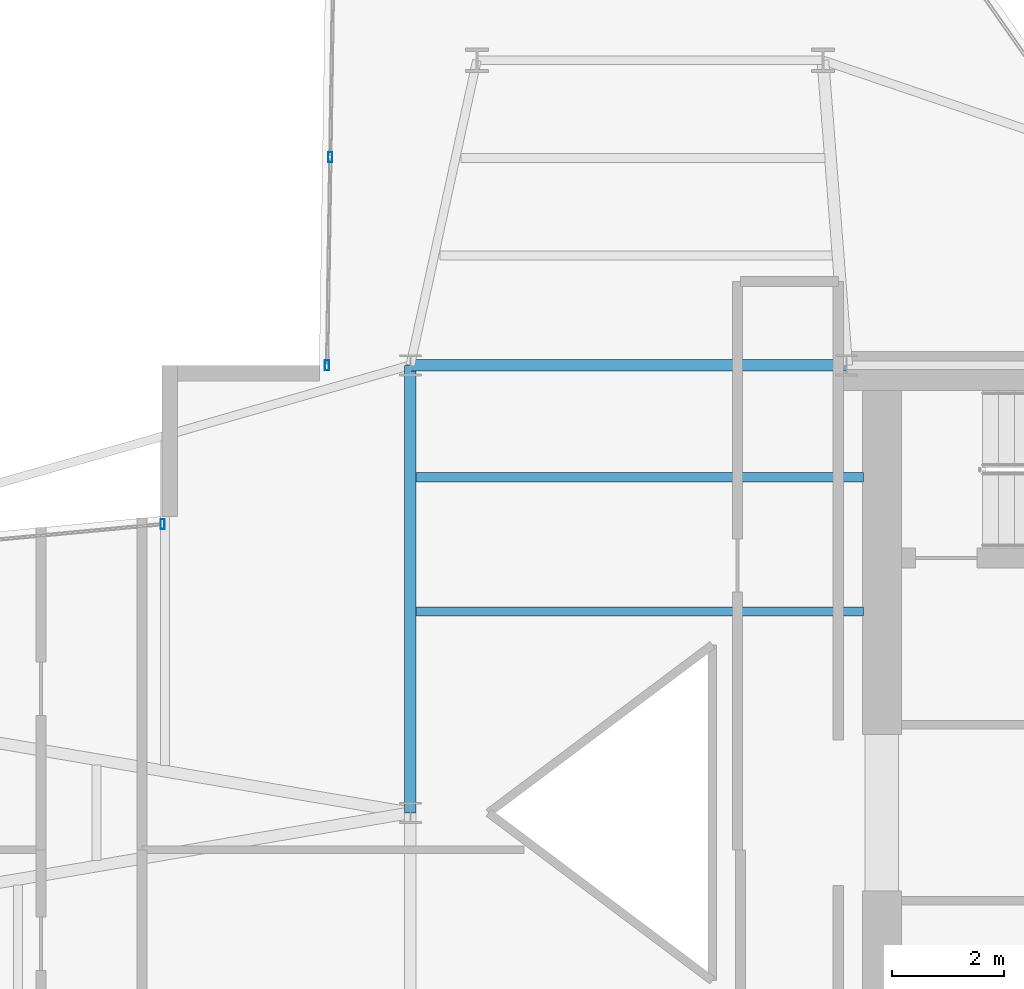
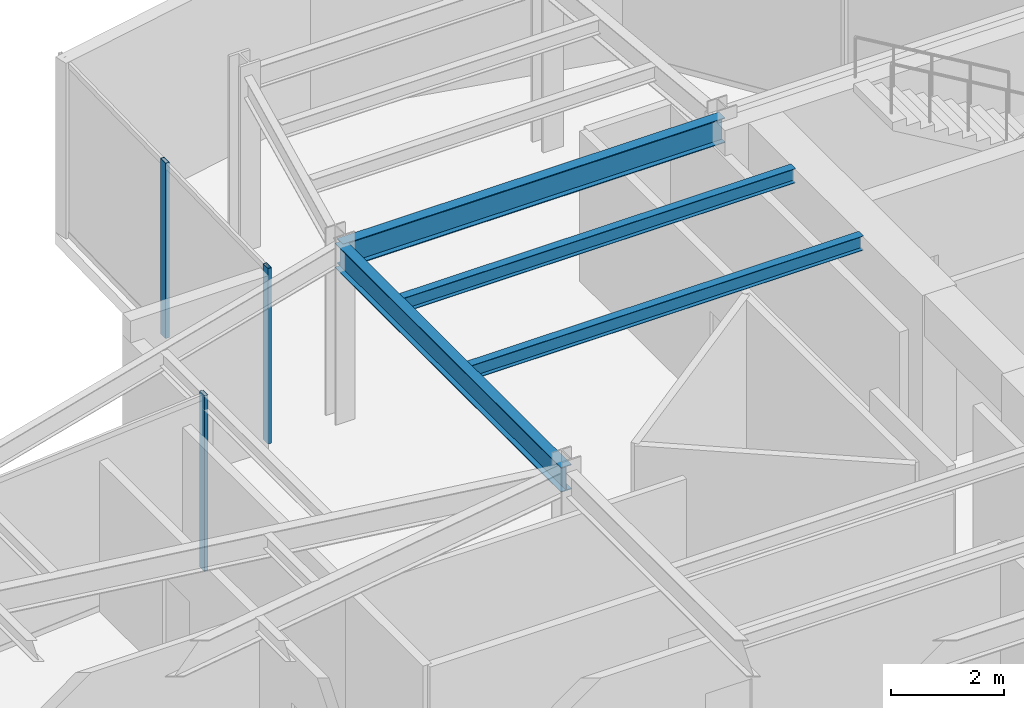
# One storey, part 10 of 22: 4 beams, 3 members, 2 elements without a shape of their own.
"""IFC4 building model written with IfcOpenShell, lengths in metres."""

from ifc_helpers import new_model, si_unit, direction, frame, origin, origin_2d, place, context, subcontext, project, spatial, hollow_rectangle, i_section, extrude, material, layer, layer_set, material_profile, profile_set, type_object, element, aggregate, save


model = new_model("IFC4")

# Units and contexts
model_context = context("Model", 3, precision=1e-05, world=origin(), true_north=direction((0.0, 1.0)))
body_context = subcontext(model_context, "Body", "Model", "MODEL_VIEW")
ifc_project = project(units=[si_unit("LENGTHUNIT", "METRE"), si_unit("AREAUNIT", "SQUARE_METRE"), si_unit("VOLUMEUNIT", "CUBIC_METRE"), si_unit("PLANEANGLEUNIT", "RADIAN"), si_unit("MASSUNIT", "GRAM", prefix="KILO")], contexts=[model_context])

# Site, building, storey
site_placement = place(None, origin())
site = spatial("IfcSite", under=ifc_project, at=site_placement, CompositionType="ELEMENT")
building_placement = place(site_placement, origin())
building = spatial("IfcBuilding", under=site, at=building_placement, Name="Veymaron Broadcast Tower", CompositionType="ELEMENT")
storey_placement = place(building_placement, frame((0.0, 0.0, 216.14990234375)))
storey = spatial("IfcBuildingStorey", under=building, at=storey_placement, Name="L50", CompositionType="ELEMENT", Elevation=216.14990234375)

# Beams
ifc_material_1 = material(Name="Structural steel ASTM A992 Gr 50", Category="steel")
ifc_material_profile_1 = material_profile(ifc_material_1, i_section(OverallWidth=0.2099609375, OverallDepth=0.537109375, WebThickness=0.010986328125, FlangeThickness=0.017333984375, at=origin_2d()), Name="W530X101")
ifc_profile_set_1 = profile_set([ifc_material_profile_1], Name="Structural steel ASTM A992 Gr 50")
beam_type_1 = type_object("IfcBeamType", Name="BM-FG3", PredefinedType="BEAM", material=ifc_profile_set_1)
beam_1_placement = place(storey_placement, frame((31.199951171875, 24.0, 3.521484375), z_axis=(0.0, 1.0, 0.0), x_axis=(-1.0, 0.0, 0.0)))
element("IfcBeam", 1, at=beam_1_placement, inside=storey, type_object=beam_type_1, Name="L50 primary structural floor girder", PredefinedType="BEAM", context=body_context, shape_type="SweptSolid", body=[
    extrude(i_section(OverallWidth=0.2099609375, OverallDepth=0.537109375, WebThickness=0.010986328125, FlangeThickness=0.017333984375, at=origin_2d()), origin(), (0.0, 0.0, 1.0), 8.0),
])
beam_2_placement = place(storey_placement, frame((31.199951171875, 32.0, 3.521484375), z_axis=(1.0, 0.0, 0.0), x_axis=(0.0, 1.0, 0.0)))
element("IfcBeam", 2, at=beam_2_placement, inside=storey, type_object=beam_type_1, Name="L50 primary structural floor girder", PredefinedType="BEAM", context=body_context, shape_type="SweptSolid", body=[
    extrude(i_section(OverallWidth=0.2099609375, OverallDepth=0.537109375, WebThickness=0.010986328125, FlangeThickness=0.017333984375, at=origin_2d()), origin(), (0.0, 0.0, 1.0), 7.800048828125),
])
ifc_material_profile_2 = material_profile(ifc_material_1, i_section(OverallWidth=0.1650390625, OverallDepth=0.31005859375, WebThickness=0.005859375, FlangeThickness=0.009765625, at=origin_2d()), Name="W310X39")
ifc_profile_set_2 = profile_set([ifc_material_profile_2], Name="Structural steel ASTM A992 Gr 50")
beam_type_2 = type_object("IfcBeamType", Name="BM-JS3", PredefinedType="JOIST", material=ifc_profile_set_2)
for number, where, z_axis, x_axis, name in (
    (3, (31.300048828125, 27.60009765625, 3.635009765625), (1.0, 0.0, 0.0), (0.0, 1.0, 0.0), "L50 Hub secondary joist 3"),
    (4, (31.300048828125, 30.0, 3.635009765625), (1.0, 0.0, 0.0), (0.0, 1.0, 0.0), "L50 Hub secondary joist 4"),
):
    element("IfcBeam", number, at=place(storey_placement, frame(where, z_axis=z_axis, x_axis=x_axis)), inside=storey, type_object=beam_type_2, Name=name, PredefinedType="JOIST", context=body_context, shape_type="SweptSolid", body=[
        extrude(i_section(OverallWidth=0.1650390625, OverallDepth=0.31005859375, WebThickness=0.005859375, FlangeThickness=0.009765625, at=origin_2d()), origin(), (0.0, 0.0, 1.0), 8.0),
    ])

# Curtain wall, members
ifc_material_2 = material(Name="Anodised aluminium AA 6063-T6 and laminated low-E dark glass", Category="aluminium")
ifc_layer = layer(ifc_material_2, 0.179931640625)
ifc_layer_set = layer_set([ifc_layer], Name="Anodised aluminium AA 6063-T6 and laminated low-E dark glass")
curtain_wall_type = type_object("IfcCurtainWallType", Name="CW-SYS-05", PredefinedType="NOTDEFINED", material=ifc_layer_set)
curtain_wall_1_placement = place(storey_placement, origin())
curtain_wall_1 = element("IfcCurtainWall", 5, at=curtain_wall_1_placement, inside=storey, type_object=curtain_wall_type, Name="L50 dark-glass curtain wall CW-L50-E8-1", PredefinedType="NOTDEFINED")
ifc_material_3 = material(Name="Anodised aluminium AA 6063-T6", Category="aluminium")
ifc_material_profile_3 = material_profile(ifc_material_3, hollow_rectangle(XDim=0.074951171875, YDim=0.179931640625, WallThickness=0.0048828125, at=origin_2d()), Name="AL180X75X5")
ifc_profile_set_3 = profile_set([ifc_material_profile_3], Name="Anodised aluminium AA 6063-T6")
member_type = type_object("IfcMemberType", Name="CW-MUL-02", PredefinedType="MULLION", material=ifc_profile_set_3)
member_1_placement = place(storey_placement, frame((29.77001953125, 35.72021484375, 0.0), z_axis=(0.0, 0.0, 1.0), x_axis=(1.0, 0.0, 0.0)))
member_1 = element("IfcMember", 6, at=member_1_placement, type_object=member_type, Name="CW-L50-E8-1 mullion 1", PredefinedType="MULLION", context=body_context, shape_type="SweptSolid", body=[
    extrude(hollow_rectangle(XDim=0.074951171875, YDim=0.179931640625, WallThickness=0.0048828125, at=origin_2d()), origin(), (0.0, 0.0, 1.0), 3.7900390625),
])
member_2_placement = place(storey_placement, frame((29.71240234375, 31.997802734375, 0.0), z_axis=(0.0, 0.0, 1.0), x_axis=(1.0, 0.0, 0.0)))
member_2 = element("IfcMember", 7, at=member_2_placement, type_object=member_type, Name="CW-L50-E8-1 mullion 2", PredefinedType="MULLION", context=body_context, shape_type="SweptSolid", body=[
    extrude(hollow_rectangle(XDim=0.074951171875, YDim=0.179931640625, WallThickness=0.0048828125, at=origin_2d()), origin(), (0.0, 0.0, 1.0), 3.7900390625),
])
aggregate(curtain_wall_1, [member_1, member_2])

# Curtain wall, member
curtain_wall_2_placement = place(storey_placement, origin())
curtain_wall_2 = element("IfcCurtainWall", 8, at=curtain_wall_2_placement, inside=storey, type_object=curtain_wall_type, Name="L50 dark-glass curtain wall CW-L50-E11-1", PredefinedType="NOTDEFINED")
member_3_placement = place(storey_placement, frame((26.773193359375, 29.160888671875, 0.0), z_axis=(0.0, 0.0, 1.0), x_axis=(1.0, 0.0, 0.0)))
member_3 = element("IfcMember", 9, at=member_3_placement, type_object=member_type, Name="CW-L50-E11-1 mullion 0", PredefinedType="MULLION", context=body_context, shape_type="SweptSolid", body=[
    extrude(hollow_rectangle(XDim=0.074951171875, YDim=0.179931640625, WallThickness=0.0048828125, at=origin_2d()), origin(), (0.0, 0.0, 1.0), 3.7900390625),
])
aggregate(curtain_wall_2, [member_3])

save(model, "model.ifc")
